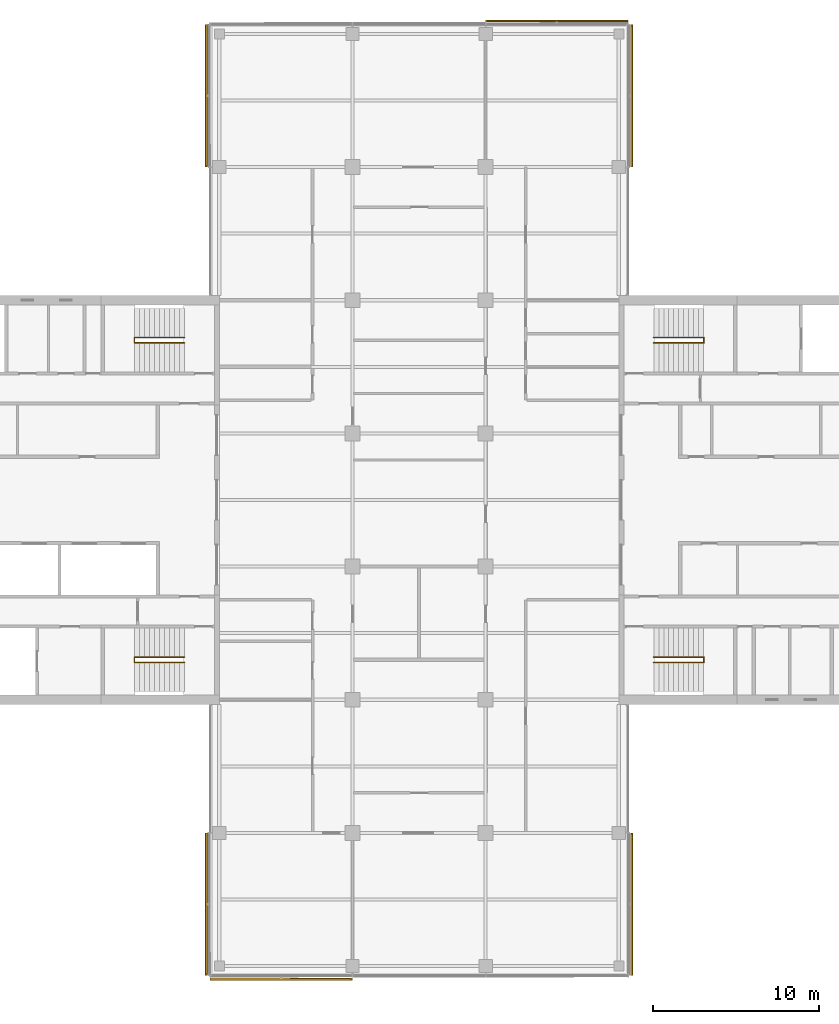
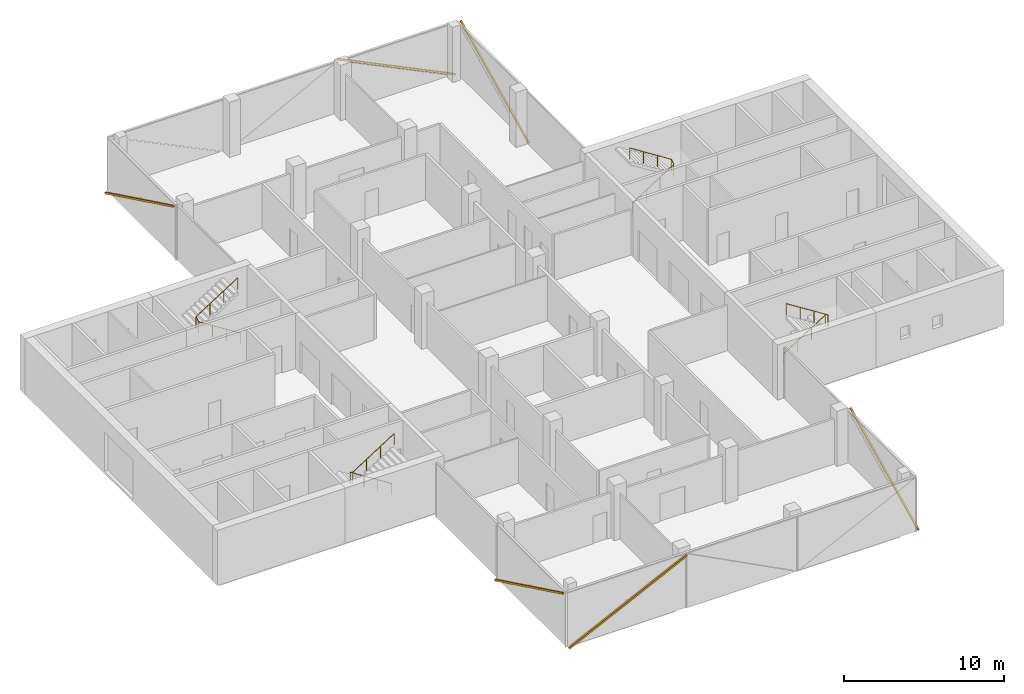
# One storey, part 15 of 15: 6 shading devices, 4 railings, 6 elements without a shape of their own.
"""IFC4 building model written with IfcOpenShell, lengths in metres."""

from ifc_helpers import new_model, si_unit, direction, frame, origin, origin_2d, place, context, subcontext, project, spatial, rectangle, circle, extrude, material, material_profile, profile_set, type_object, element, aggregate, save


model = new_model("IFC4")

# Units and contexts
model_context = context("Model", 3, precision=1e-05, world=origin(), true_north=direction((0.0, 1.0)))
body_context = subcontext(model_context, "Body", "Model", "MODEL_VIEW")
ifc_project = project(units=[si_unit("LENGTHUNIT", "METRE"), si_unit("AREAUNIT", "SQUARE_METRE"), si_unit("VOLUMEUNIT", "CUBIC_METRE"), si_unit("PLANEANGLEUNIT", "RADIAN"), si_unit("MASSUNIT", "GRAM", prefix="KILO")], contexts=[model_context])

# Site, building, storey
site_placement = place(None, origin())
site = spatial("IfcSite", under=ifc_project, at=site_placement, CompositionType="ELEMENT")
building_placement = place(site_placement, origin())
building = spatial("IfcBuilding", under=site, at=building_placement, Name="Crosswind Convention Tower", CompositionType="ELEMENT")
storey_placement = place(building_placement, frame((0.0, 0.0, 225.10009765625)))
storey = spatial("IfcBuildingStorey", under=building, at=storey_placement, Name="L48", CompositionType="ELEMENT", Elevation=225.10009765625)

# Railings
ifc_material_1 = material(Name="Stainless steel", Category="steel")
railing_type = type_object("IfcRailingType", Name="Stair handrail 900", PredefinedType="HANDRAIL", material=ifc_material_1)
railing_1_placement = place(storey_placement, frame((139.10009765625, 109.43994140625, 0.19091796875)))
element("IfcRailing", 1, at=railing_1_placement, inside=storey, type_object=railing_type, Name="Stair ST1 handrail L48", PredefinedType="HANDRAIL", context=body_context, shape_type="SweptSolid", body=[
    extrude(circle(Radius=0.02392578125, at=origin_2d()), frame((0.0, 0.0, 0.8759765625), z_axis=(0.843681277094, 0.0, 0.536844393359), x_axis=(0.0, 1.0, 0.0)), (0.0, 0.0, 1.0), 3.555908203125),
    extrude(circle(Radius=0.02392578125, at=origin_2d()), frame((3.0, 0.0, 2.78466796875), z_axis=(0.0, 0.858819504967, 0.512278301208), x_axis=(-1.0, 0.0, 0.0)), (0.0, 0.0, 1.0), 0.372802734375),
    extrude(circle(Radius=0.02392578125, at=origin_2d()), frame((3.0, 0.320068359375, 2.9755859375), z_axis=(-0.843650179428, 0.0, 0.536893261973), x_axis=(0.0, -1.0, 0.0)), (0.0, 0.0, 1.0), 3.555908203125),
    extrude(circle(Radius=0.02099609375, at=origin_2d()), origin(), (0.0, 0.0, 1.0), 0.851806640625),
    extrude(circle(Radius=0.02099609375, at=origin_2d()), frame((1.0, 0.0, 0.63623046875)), (0.0, 0.0, 1.0), 0.851806640625),
    extrude(circle(Radius=0.02099609375, at=origin_2d()), frame((2.0, 0.0, 1.272705078125)), (0.0, 0.0, 1.0), 0.851806640625),
    extrude(circle(Radius=0.02099609375, at=origin_2d()), frame((3.0, 0.0, 1.908935546875)), (0.0, 0.0, 1.0), 0.851806640625),
    extrude(circle(Radius=0.02099609375, at=origin_2d()), frame((3.0, 0.320068359375, 2.099853515625)), (0.0, 0.0, 1.0), 0.851806640625),
    extrude(circle(Radius=0.02099609375, at=origin_2d()), frame((2.0, 0.320068359375, 2.736328125)), (0.0, 0.0, 1.0), 0.851806640625),
    extrude(circle(Radius=0.02099609375, at=origin_2d()), frame((1.0, 0.320068359375, 3.37255859375)), (0.0, 0.0, 1.0), 0.851806640625),
    extrude(circle(Radius=0.02099609375, at=origin_2d()), frame((0.0, 0.320068359375, 4.009033203125)), (0.0, 0.0, 1.0), 0.851806640625),
])
railing_2_placement = place(storey_placement, frame((139.10009765625, 90.56005859375, 0.19091796875)))
element("IfcRailing", 2, at=railing_2_placement, inside=storey, type_object=railing_type, Name="Stair ST2 handrail L48", PredefinedType="HANDRAIL", context=body_context, shape_type="SweptSolid", body=[
    extrude(circle(Radius=0.02392578125, at=origin_2d()), frame((0.0, 0.0, 0.8759765625), z_axis=(0.843681277094, 0.0, 0.536844393359), x_axis=(0.0, 1.0, 0.0)), (0.0, 0.0, 1.0), 3.555908203125),
    extrude(circle(Radius=0.02392578125, at=origin_2d()), frame((3.0, 0.0, 2.78466796875), z_axis=(0.0, -0.858819504967, 0.512278301208), x_axis=(1.0, 0.0, 0.0)), (0.0, 0.0, 1.0), 0.372802734375),
    extrude(circle(Radius=0.02392578125, at=origin_2d()), frame((3.0, -0.320068359375, 2.9755859375), z_axis=(-0.843650179428, 0.0, 0.536893261973), x_axis=(0.0, -1.0, 0.0)), (0.0, 0.0, 1.0), 3.555908203125),
    extrude(circle(Radius=0.02099609375, at=origin_2d()), origin(), (0.0, 0.0, 1.0), 0.851806640625),
    extrude(circle(Radius=0.02099609375, at=origin_2d()), frame((1.0, 0.0, 0.63623046875)), (0.0, 0.0, 1.0), 0.851806640625),
    extrude(circle(Radius=0.02099609375, at=origin_2d()), frame((2.0, 0.0, 1.272705078125)), (0.0, 0.0, 1.0), 0.851806640625),
    extrude(circle(Radius=0.02099609375, at=origin_2d()), frame((3.0, 0.0, 1.908935546875)), (0.0, 0.0, 1.0), 0.851806640625),
    extrude(circle(Radius=0.02099609375, at=origin_2d()), frame((3.0, -0.320068359375, 2.099853515625)), (0.0, 0.0, 1.0), 0.851806640625),
    extrude(circle(Radius=0.02099609375, at=origin_2d()), frame((2.0, -0.320068359375, 2.736328125)), (0.0, 0.0, 1.0), 0.851806640625),
    extrude(circle(Radius=0.02099609375, at=origin_2d()), frame((1.0, -0.320068359375, 3.37255859375)), (0.0, 0.0, 1.0), 0.851806640625),
    extrude(circle(Radius=0.02099609375, at=origin_2d()), frame((0.0, -0.320068359375, 4.009033203125)), (0.0, 0.0, 1.0), 0.851806640625),
])
railing_3_placement = place(storey_placement, frame((110.89990234375, 90.56005859375, 0.19091796875)))
element("IfcRailing", 3, at=railing_3_placement, inside=storey, type_object=railing_type, Name="Stair ST3 handrail L48", PredefinedType="HANDRAIL", context=body_context, shape_type="SweptSolid", body=[
    extrude(circle(Radius=0.02392578125, at=origin_2d()), frame((0.0, 0.0, 0.8759765625), z_axis=(-0.843681277094, 0.0, 0.536844393359), x_axis=(0.0, -1.0, 0.0)), (0.0, 0.0, 1.0), 3.555908203125),
    extrude(circle(Radius=0.02392578125, at=origin_2d()), frame((-3.0, 0.0, 2.78466796875), z_axis=(0.0, -0.858819504967, 0.512278301208), x_axis=(1.0, 0.0, 0.0)), (0.0, 0.0, 1.0), 0.372802734375),
    extrude(circle(Radius=0.02392578125, at=origin_2d()), frame((-3.0, -0.320068359375, 2.9755859375), z_axis=(0.843650179428, 0.0, 0.536893261973), x_axis=(0.0, 1.0, 0.0)), (0.0, 0.0, 1.0), 3.555908203125),
    extrude(circle(Radius=0.02099609375, at=origin_2d()), origin(), (0.0, 0.0, 1.0), 0.851806640625),
    extrude(circle(Radius=0.02099609375, at=origin_2d()), frame((-1.0, 0.0, 0.63623046875)), (0.0, 0.0, 1.0), 0.851806640625),
    extrude(circle(Radius=0.02099609375, at=origin_2d()), frame((-2.0, 0.0, 1.272705078125)), (0.0, 0.0, 1.0), 0.851806640625),
    extrude(circle(Radius=0.02099609375, at=origin_2d()), frame((-3.0, 0.0, 1.908935546875)), (0.0, 0.0, 1.0), 0.851806640625),
    extrude(circle(Radius=0.02099609375, at=origin_2d()), frame((-3.0, -0.320068359375, 2.099853515625)), (0.0, 0.0, 1.0), 0.851806640625),
    extrude(circle(Radius=0.02099609375, at=origin_2d()), frame((-2.0, -0.320068359375, 2.736328125)), (0.0, 0.0, 1.0), 0.851806640625),
    extrude(circle(Radius=0.02099609375, at=origin_2d()), frame((-1.0, -0.320068359375, 3.37255859375)), (0.0, 0.0, 1.0), 0.851806640625),
    extrude(circle(Radius=0.02099609375, at=origin_2d()), frame((0.0, -0.320068359375, 4.009033203125)), (0.0, 0.0, 1.0), 0.851806640625),
])
railing_4_placement = place(storey_placement, frame((110.89990234375, 109.43994140625, 0.19091796875)))
element("IfcRailing", 4, at=railing_4_placement, inside=storey, type_object=railing_type, Name="Stair ST4 handrail L48", PredefinedType="HANDRAIL", context=body_context, shape_type="SweptSolid", body=[
    extrude(circle(Radius=0.02392578125, at=origin_2d()), frame((0.0, 0.0, 0.8759765625), z_axis=(-0.843681277094, 0.0, 0.536844393359), x_axis=(0.0, -1.0, 0.0)), (0.0, 0.0, 1.0), 3.555908203125),
    extrude(circle(Radius=0.02392578125, at=origin_2d()), frame((-3.0, 0.0, 2.78466796875), z_axis=(0.0, 0.858819504967, 0.512278301208), x_axis=(-1.0, 0.0, 0.0)), (0.0, 0.0, 1.0), 0.372802734375),
    extrude(circle(Radius=0.02392578125, at=origin_2d()), frame((-3.0, 0.320068359375, 2.9755859375), z_axis=(0.843650179428, 0.0, 0.536893261973), x_axis=(0.0, 1.0, 0.0)), (0.0, 0.0, 1.0), 3.555908203125),
    extrude(circle(Radius=0.02099609375, at=origin_2d()), origin(), (0.0, 0.0, 1.0), 0.851806640625),
    extrude(circle(Radius=0.02099609375, at=origin_2d()), frame((-1.0, 0.0, 0.63623046875)), (0.0, 0.0, 1.0), 0.851806640625),
    extrude(circle(Radius=0.02099609375, at=origin_2d()), frame((-2.0, 0.0, 1.272705078125)), (0.0, 0.0, 1.0), 0.851806640625),
    extrude(circle(Radius=0.02099609375, at=origin_2d()), frame((-3.0, 0.0, 1.908935546875)), (0.0, 0.0, 1.0), 0.851806640625),
    extrude(circle(Radius=0.02099609375, at=origin_2d()), frame((-3.0, 0.320068359375, 2.099853515625)), (0.0, 0.0, 1.0), 0.851806640625),
    extrude(circle(Radius=0.02099609375, at=origin_2d()), frame((-2.0, 0.320068359375, 2.736328125)), (0.0, 0.0, 1.0), 0.851806640625),
    extrude(circle(Radius=0.02099609375, at=origin_2d()), frame((-1.0, 0.320068359375, 3.37255859375)), (0.0, 0.0, 1.0), 0.851806640625),
    extrude(circle(Radius=0.02099609375, at=origin_2d()), frame((0.0, 0.320068359375, 4.009033203125)), (0.0, 0.0, 1.0), 0.851806640625),
])

# Curtain wall, shading device
ifc_material_2 = material(Name="Aluminium unitised curtain wall", Category="aluminium")
curtain_wall_type = type_object("IfcCurtainWallType", Name="OFFICE UNITISED WALL 220", PredefinedType="USERDEFINED", material=ifc_material_2)
curtain_wall_1_placement = place(storey_placement, origin())
curtain_wall_1 = element("IfcCurtainWall", 5, at=curtain_wall_1_placement, inside=storey, type_object=curtain_wall_type, Name="CW3 L48 N-E 1", ObjectType="UNITISED", PredefinedType="USERDEFINED")
ifc_material_3 = material(Name="Extruded terracotta", Category="masonry")
ifc_material_profile = material_profile(ifc_material_3, rectangle(XDim=0.110107421875, YDim=0.1298828125, at=origin_2d()), Name="TC 110X130")
ifc_profile_set = profile_set([ifc_material_profile], Name="Extruded terracotta")
shading_device_type = type_object("IfcShadingDeviceType", Name="TERRACOTTA BAGUETTE 130X110", PredefinedType="USERDEFINED", material=ifc_profile_set)
shading_device_1_placement = place(storey_placement, frame((137.781005859375, 120.034912109375, -0.300048828125), z_axis=(0.0, 0.899251034354, 0.437432940248), x_axis=(-1.0, 0.0, 0.0)))
shading_device_1 = element("IfcShadingDevice", 6, at=shading_device_1_placement, type_object=shading_device_type, Name="CW3 terracotta baguette 1", ObjectType="BAGUETTE", PredefinedType="USERDEFINED", context=body_context, shape_type="SweptSolid", body=[
    extrude(rectangle(XDim=0.110107421875, YDim=0.1298828125, at=origin_2d()), origin(), (0.0, 0.0, 1.0), 9.441162109375),
])
aggregate(curtain_wall_1, [shading_device_1])

curtain_wall_2_placement = place(storey_placement, origin())
curtain_wall_2 = element("IfcCurtainWall", 7, at=curtain_wall_2_placement, inside=storey, type_object=curtain_wall_type, Name="CW3 L48 N-TIP 1", ObjectType="UNITISED", PredefinedType="USERDEFINED")
shading_device_2_placement = place(storey_placement, frame((137.52490234375, 128.781005859375, -0.300048828125), z_axis=(-0.899251034354, 0.0, 0.437432940248), x_axis=(0.0, -1.0, 0.0)))
shading_device_2 = element("IfcShadingDevice", 8, at=shading_device_2_placement, type_object=shading_device_type, Name="CW3 terracotta baguette 1", ObjectType="BAGUETTE", PredefinedType="USERDEFINED", context=body_context, shape_type="SweptSolid", body=[
    extrude(rectangle(XDim=0.110107421875, YDim=0.1298828125, at=origin_2d()), origin(), (0.0, 0.0, 1.0), 9.441162109375),
])
aggregate(curtain_wall_2, [shading_device_2])

curtain_wall_3_placement = place(storey_placement, origin())
curtain_wall_3 = element("IfcCurtainWall", 9, at=curtain_wall_3_placement, inside=storey, type_object=curtain_wall_type, Name="CW3 L48 N-W 1", ObjectType="UNITISED", PredefinedType="USERDEFINED")
shading_device_3_placement = place(storey_placement, frame((112.218994140625, 128.52490234375, -0.300048828125), z_axis=(0.0, -0.899251034354, 0.437432940248), x_axis=(1.0, 0.0, 0.0)))
shading_device_3 = element("IfcShadingDevice", 10, at=shading_device_3_placement, type_object=shading_device_type, Name="CW3 terracotta baguette 1", ObjectType="BAGUETTE", PredefinedType="USERDEFINED", context=body_context, shape_type="SweptSolid", body=[
    extrude(rectangle(XDim=0.110107421875, YDim=0.1298828125, at=origin_2d()), origin(), (0.0, 0.0, 1.0), 9.441162109375),
])
aggregate(curtain_wall_3, [shading_device_3])

curtain_wall_4_placement = place(storey_placement, origin())
curtain_wall_4 = element("IfcCurtainWall", 11, at=curtain_wall_4_placement, inside=storey, type_object=curtain_wall_type, Name="CW3 L48 S-W 1", ObjectType="UNITISED", PredefinedType="USERDEFINED")
shading_device_4_placement = place(storey_placement, frame((112.218994140625, 79.965087890625, -0.300048828125), z_axis=(0.0, -0.899251034354, 0.437432940248), x_axis=(1.0, 0.0, 0.0)))
shading_device_4 = element("IfcShadingDevice", 12, at=shading_device_4_placement, type_object=shading_device_type, Name="CW3 terracotta baguette 1", ObjectType="BAGUETTE", PredefinedType="USERDEFINED", context=body_context, shape_type="SweptSolid", body=[
    extrude(rectangle(XDim=0.110107421875, YDim=0.1298828125, at=origin_2d()), origin(), (0.0, 0.0, 1.0), 9.441162109375),
])
aggregate(curtain_wall_4, [shading_device_4])

curtain_wall_5_placement = place(storey_placement, origin())
curtain_wall_5 = element("IfcCurtainWall", 13, at=curtain_wall_5_placement, inside=storey, type_object=curtain_wall_type, Name="CW3 L48 S-TIP 1", ObjectType="UNITISED", PredefinedType="USERDEFINED")
shading_device_5_placement = place(storey_placement, frame((112.47509765625, 71.218994140625, -0.300048828125), z_axis=(0.899251034354, 0.0, 0.437432940248), x_axis=(0.0, 1.0, 0.0)))
shading_device_5 = element("IfcShadingDevice", 14, at=shading_device_5_placement, type_object=shading_device_type, Name="CW3 terracotta baguette 1", ObjectType="BAGUETTE", PredefinedType="USERDEFINED", context=body_context, shape_type="SweptSolid", body=[
    extrude(rectangle(XDim=0.110107421875, YDim=0.1298828125, at=origin_2d()), origin(), (0.0, 0.0, 1.0), 9.441162109375),
])
aggregate(curtain_wall_5, [shading_device_5])

curtain_wall_6_placement = place(storey_placement, origin())
curtain_wall_6 = element("IfcCurtainWall", 15, at=curtain_wall_6_placement, inside=storey, type_object=curtain_wall_type, Name="CW3 L48 S-E 1", ObjectType="UNITISED", PredefinedType="USERDEFINED")
shading_device_6_placement = place(storey_placement, frame((137.781005859375, 71.47509765625, -0.300048828125), z_axis=(0.0, 0.899251034354, 0.437432940248), x_axis=(-1.0, 0.0, 0.0)))
shading_device_6 = element("IfcShadingDevice", 16, at=shading_device_6_placement, type_object=shading_device_type, Name="CW3 terracotta baguette 1", ObjectType="BAGUETTE", PredefinedType="USERDEFINED", context=body_context, shape_type="SweptSolid", body=[
    extrude(rectangle(XDim=0.110107421875, YDim=0.1298828125, at=origin_2d()), origin(), (0.0, 0.0, 1.0), 9.441162109375),
])
aggregate(curtain_wall_6, [shading_device_6])

save(model, "model.ifc")
